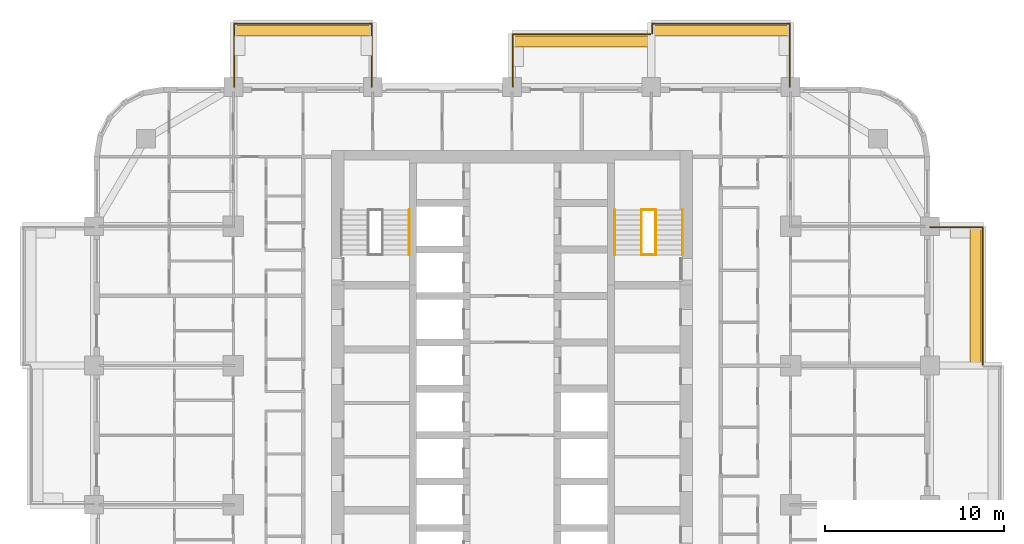
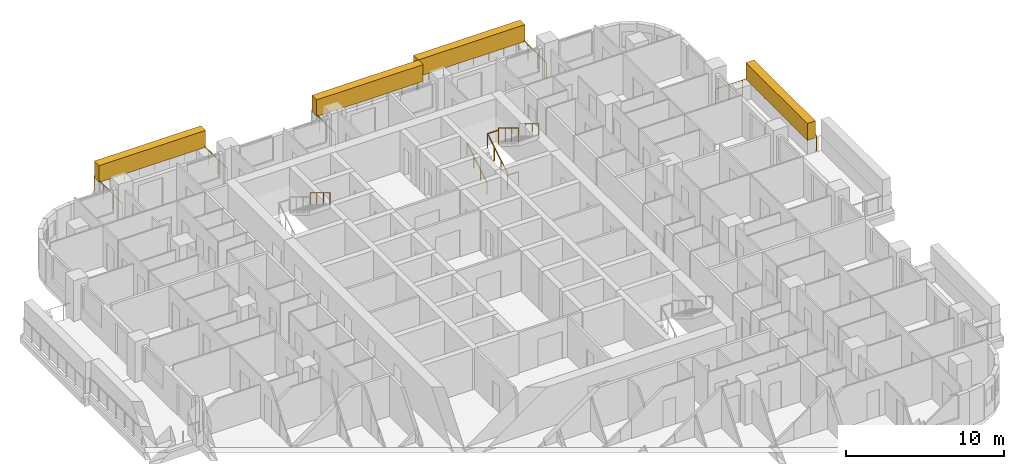
# One storey, part 18 of 18: 11 railings, 4 coverings, 2 elements without a shape of their own.
"""IFC4 building model written with IfcOpenShell, lengths in metres."""

from ifc_helpers import new_model, si_unit, direction, frame, origin, origin_2d, place, context, subcontext, project, spatial, rectangle, circle, extrude, material, layer, layer_set, type_object, element, aggregate, save


model = new_model("IFC4")

# Units and contexts
model_context = context("Model", 3, precision=1e-05, world=origin(), true_north=direction((0.0, 1.0)))
body_context = subcontext(model_context, "Body", "Model", "MODEL_VIEW")
ifc_project = project(units=[si_unit("LENGTHUNIT", "METRE"), si_unit("AREAUNIT", "SQUARE_METRE"), si_unit("VOLUMEUNIT", "CUBIC_METRE"), si_unit("PLANEANGLEUNIT", "RADIAN"), si_unit("MASSUNIT", "GRAM", prefix="KILO")], contexts=[model_context])

# Site, building, storey
site_placement = place(None, origin())
site = spatial("IfcSite", under=ifc_project, at=site_placement, CompositionType="ELEMENT")
building_placement = place(site_placement, origin())
building = spatial("IfcBuilding", under=site, at=building_placement, Name="Ludao Terraces", CompositionType="ELEMENT")
storey_placement = place(building_placement, frame((0.0, 0.0, 33.10009765625)))
storey = spatial("IfcBuildingStorey", under=building, at=storey_placement, Name="L08", CompositionType="ELEMENT", Elevation=33.10009765625)

# Railings
ifc_material_1 = material(Name="Stainless steel 304", Category="steel")
railing_type_1 = type_object("IfcRailingType", Name="ENV Balcony glass guard 1200", PredefinedType="GUARDRAIL", material=ifc_material_1)
railing_1_placement = place(storey_placement, frame((111.35009765625, 72.85009765625, 0.0)))
element("IfcRailing", 1, at=railing_1_placement, inside=storey, type_object=railing_type_1, Name="Balcony guard L08 E4", PredefinedType="GUARDRAIL", context=body_context, shape_type="SweptSolid", body=[
    extrude(circle(Radius=0.02392578125, at=origin_2d()), frame((0.0, 0.0, 1.17578125), z_axis=(0.0, 1.0, 0.0), x_axis=(-1.0, 0.0, 0.0)), (0.0, 0.0, 1.0), 7.699951171875),
    extrude(circle(Radius=0.02392578125, at=origin_2d()), frame((0.0, 7.699951171875, 1.17578125), z_axis=(-1.0, 0.0, 0.0), x_axis=(0.0, -1.0, 0.0)), (0.0, 0.0, 1.0), 2.9501953125),
    extrude(circle(Radius=0.02099609375, at=origin_2d()), origin(), (0.0, 0.0, 1.0), 1.15185546875),
    extrude(circle(Radius=0.02099609375, at=origin_2d()), frame((0.0, 1.10009765625, 0.0)), (0.0, 0.0, 1.0), 1.15185546875),
    extrude(circle(Radius=0.02099609375, at=origin_2d()), frame((0.0, 2.199951171875, 0.0)), (0.0, 0.0, 1.0), 1.15185546875),
    extrude(circle(Radius=0.02099609375, at=origin_2d()), frame((0.0, 3.300048828125, 0.0)), (0.0, 0.0, 1.0), 1.15185546875),
    extrude(circle(Radius=0.02099609375, at=origin_2d()), frame((0.0, 4.39990234375, 0.0)), (0.0, 0.0, 1.0), 1.15185546875),
    extrude(circle(Radius=0.02099609375, at=origin_2d()), frame((0.0, 5.5, 0.0)), (0.0, 0.0, 1.0), 1.15185546875),
    extrude(circle(Radius=0.02099609375, at=origin_2d()), frame((0.0, 6.599853515625, 0.0)), (0.0, 0.0, 1.0), 1.15185546875),
    extrude(circle(Radius=0.02099609375, at=origin_2d()), frame((0.0, 7.699951171875, 0.0)), (0.0, 0.0, 1.0), 1.15185546875),
    extrude(circle(Radius=0.02099609375, at=origin_2d()), frame((-0.9833984375, 7.699951171875, 0.0)), (0.0, 0.0, 1.0), 1.15185546875),
    extrude(circle(Radius=0.02099609375, at=origin_2d()), frame((-1.966796875, 7.699951171875, 0.0)), (0.0, 0.0, 1.0), 1.15185546875),
    extrude(circle(Radius=0.02099609375, at=origin_2d()), frame((-2.9501953125, 7.699951171875, 0.0)), (0.0, 0.0, 1.0), 1.15185546875),
])
railing_2_placement = place(storey_placement, frame((69.449951171875, 88.39990234375, 0.0)))
element("IfcRailing", 2, at=railing_2_placement, inside=storey, type_object=railing_type_1, Name="Balcony guard L08 N1", PredefinedType="GUARDRAIL", context=body_context, shape_type="SweptSolid", body=[
    extrude(circle(Radius=0.02392578125, at=origin_2d()), frame((0.0, 0.0, 1.17578125), z_axis=(0.0, 1.0, 0.0), x_axis=(-1.0, 0.0, 0.0)), (0.0, 0.0, 1.0), 3.550048828125),
    extrude(circle(Radius=0.02392578125, at=origin_2d()), frame((0.0, 3.550048828125, 1.17578125), z_axis=(1.0, 0.0, 0.0), x_axis=(0.0, 1.0, 0.0)), (0.0, 0.0, 1.0), 7.699951171875),
    extrude(circle(Radius=0.02392578125, at=origin_2d()), frame((7.699951171875, 3.550048828125, 1.17578125), z_axis=(0.0, -1.0, 0.0), x_axis=(1.0, 0.0, 0.0)), (0.0, 0.0, 1.0), 3.550048828125),
    extrude(circle(Radius=0.02099609375, at=origin_2d()), origin(), (0.0, 0.0, 1.0), 1.15185546875),
    extrude(circle(Radius=0.02099609375, at=origin_2d()), frame((0.0, 1.183349609375, 0.0)), (0.0, 0.0, 1.0), 1.15185546875),
    extrude(circle(Radius=0.02099609375, at=origin_2d()), frame((0.0, 2.36669921875, 0.0)), (0.0, 0.0, 1.0), 1.15185546875),
    extrude(circle(Radius=0.02099609375, at=origin_2d()), frame((0.0, 3.550048828125, 0.0)), (0.0, 0.0, 1.0), 1.15185546875),
    extrude(circle(Radius=0.02099609375, at=origin_2d()), frame((1.10009765625, 3.550048828125, 0.0)), (0.0, 0.0, 1.0), 1.15185546875),
    extrude(circle(Radius=0.02099609375, at=origin_2d()), frame((2.199951171875, 3.550048828125, 0.0)), (0.0, 0.0, 1.0), 1.15185546875),
    extrude(circle(Radius=0.02099609375, at=origin_2d()), frame((3.300048828125, 3.550048828125, 0.0)), (0.0, 0.0, 1.0), 1.15185546875),
    extrude(circle(Radius=0.02099609375, at=origin_2d()), frame((4.39990234375, 3.550048828125, 0.0)), (0.0, 0.0, 1.0), 1.15185546875),
    extrude(circle(Radius=0.02099609375, at=origin_2d()), frame((5.5, 3.550048828125, 0.0)), (0.0, 0.0, 1.0), 1.15185546875),
    extrude(circle(Radius=0.02099609375, at=origin_2d()), frame((6.599853515625, 3.550048828125, 0.0)), (0.0, 0.0, 1.0), 1.15185546875),
    extrude(circle(Radius=0.02099609375, at=origin_2d()), frame((7.699951171875, 3.550048828125, 0.0)), (0.0, 0.0, 1.0), 1.15185546875),
    extrude(circle(Radius=0.02099609375, at=origin_2d()), frame((7.699951171875, 2.36669921875, 0.0)), (0.0, 0.0, 1.0), 1.15185546875),
    extrude(circle(Radius=0.02099609375, at=origin_2d()), frame((7.699951171875, 1.183349609375, 0.0)), (0.0, 0.0, 1.0), 1.15185546875),
    extrude(circle(Radius=0.02099609375, at=origin_2d()), frame((7.699951171875, 0.0, 0.0)), (0.0, 0.0, 1.0), 1.15185546875),
])
railing_3_placement = place(storey_placement, frame((85.050048828125, 88.39990234375, 0.0)))
element("IfcRailing", 3, at=railing_3_placement, inside=storey, type_object=railing_type_1, Name="Balcony guard L08 N3", PredefinedType="GUARDRAIL", context=body_context, shape_type="SweptSolid", body=[
    extrude(circle(Radius=0.02392578125, at=origin_2d()), frame((0.0, 0.0, 1.17578125), z_axis=(0.0, 1.0, 0.0), x_axis=(-1.0, 0.0, 0.0)), (0.0, 0.0, 1.0), 2.9501953125),
    extrude(circle(Radius=0.02392578125, at=origin_2d()), frame((0.0, 2.9501953125, 1.17578125), z_axis=(1.0, 0.0, 0.0), x_axis=(0.0, 1.0, 0.0)), (0.0, 0.0, 1.0), 7.699951171875),
    extrude(circle(Radius=0.02099609375, at=origin_2d()), origin(), (0.0, 0.0, 1.0), 1.15185546875),
    extrude(circle(Radius=0.02099609375, at=origin_2d()), frame((0.0, 0.9833984375, 0.0)), (0.0, 0.0, 1.0), 1.15185546875),
    extrude(circle(Radius=0.02099609375, at=origin_2d()), frame((0.0, 1.966796875, 0.0)), (0.0, 0.0, 1.0), 1.15185546875),
    extrude(circle(Radius=0.02099609375, at=origin_2d()), frame((0.0, 2.9501953125, 0.0)), (0.0, 0.0, 1.0), 1.15185546875),
    extrude(circle(Radius=0.02099609375, at=origin_2d()), frame((1.10009765625, 2.9501953125, 0.0)), (0.0, 0.0, 1.0), 1.15185546875),
    extrude(circle(Radius=0.02099609375, at=origin_2d()), frame((2.199951171875, 2.9501953125, 0.0)), (0.0, 0.0, 1.0), 1.15185546875),
    extrude(circle(Radius=0.02099609375, at=origin_2d()), frame((3.300048828125, 2.9501953125, 0.0)), (0.0, 0.0, 1.0), 1.15185546875),
    extrude(circle(Radius=0.02099609375, at=origin_2d()), frame((4.39990234375, 2.9501953125, 0.0)), (0.0, 0.0, 1.0), 1.15185546875),
    extrude(circle(Radius=0.02099609375, at=origin_2d()), frame((5.5, 2.9501953125, 0.0)), (0.0, 0.0, 1.0), 1.15185546875),
    extrude(circle(Radius=0.02099609375, at=origin_2d()), frame((6.599853515625, 2.9501953125, 0.0)), (0.0, 0.0, 1.0), 1.15185546875),
    extrude(circle(Radius=0.02099609375, at=origin_2d()), frame((7.699951171875, 2.9501953125, 0.0)), (0.0, 0.0, 1.0), 1.15185546875),
])
railing_4_placement = place(storey_placement, frame((92.85009765625, 91.39990234375, 0.0)))
element("IfcRailing", 4, at=railing_4_placement, inside=storey, type_object=railing_type_1, Name="Balcony guard L08 N4", PredefinedType="GUARDRAIL", context=body_context, shape_type="SweptSolid", body=[
    extrude(circle(Radius=0.02392578125, at=origin_2d()), frame((0.0, 0.0, 1.17578125), z_axis=(0.0, 1.0, 0.0), x_axis=(-1.0, 0.0, 0.0)), (0.0, 0.0, 1.0), 0.550048828125),
    extrude(circle(Radius=0.02392578125, at=origin_2d()), frame((0.0, 0.550048828125, 1.17578125), z_axis=(1.0, 0.0, 0.0), x_axis=(0.0, 1.0, 0.0)), (0.0, 0.0, 1.0), 7.699951171875),
    extrude(circle(Radius=0.02392578125, at=origin_2d()), frame((7.699951171875, 0.550048828125, 1.17578125), z_axis=(0.0, -1.0, 0.0), x_axis=(1.0, 0.0, 0.0)), (0.0, 0.0, 1.0), 3.550048828125),
    extrude(circle(Radius=0.02099609375, at=origin_2d()), origin(), (0.0, 0.0, 1.0), 1.15185546875),
    extrude(circle(Radius=0.02099609375, at=origin_2d()), frame((0.0, 0.550048828125, 0.0)), (0.0, 0.0, 1.0), 1.15185546875),
    extrude(circle(Radius=0.02099609375, at=origin_2d()), frame((1.10009765625, 0.550048828125, 0.0)), (0.0, 0.0, 1.0), 1.15185546875),
    extrude(circle(Radius=0.02099609375, at=origin_2d()), frame((2.199951171875, 0.550048828125, 0.0)), (0.0, 0.0, 1.0), 1.15185546875),
    extrude(circle(Radius=0.02099609375, at=origin_2d()), frame((3.300048828125, 0.550048828125, 0.0)), (0.0, 0.0, 1.0), 1.15185546875),
    extrude(circle(Radius=0.02099609375, at=origin_2d()), frame((4.39990234375, 0.550048828125, 0.0)), (0.0, 0.0, 1.0), 1.15185546875),
    extrude(circle(Radius=0.02099609375, at=origin_2d()), frame((5.5, 0.550048828125, 0.0)), (0.0, 0.0, 1.0), 1.15185546875),
    extrude(circle(Radius=0.02099609375, at=origin_2d()), frame((6.599853515625, 0.550048828125, 0.0)), (0.0, 0.0, 1.0), 1.15185546875),
    extrude(circle(Radius=0.02099609375, at=origin_2d()), frame((7.699951171875, 0.550048828125, 0.0)), (0.0, 0.0, 1.0), 1.15185546875),
    extrude(circle(Radius=0.02099609375, at=origin_2d()), frame((7.699951171875, -0.63330078125, 0.0)), (0.0, 0.0, 1.0), 1.15185546875),
    extrude(circle(Radius=0.02099609375, at=origin_2d()), frame((7.699951171875, -1.816650390625, 0.0)), (0.0, 0.0, 1.0), 1.15185546875),
    extrude(circle(Radius=0.02099609375, at=origin_2d()), frame((7.699951171875, -3.0, 0.0)), (0.0, 0.0, 1.0), 1.15185546875),
])

# Coverings
ifc_material_2 = material(Name="Planting")
ifc_layer = layer(ifc_material_2, 0.60009765625)
ifc_layer_set = layer_set([ifc_layer], Name="ENV Planting hedge 600x1300")
covering_type = type_object("IfcCoveringType", Name="ENV Planting hedge 600x1300", PredefinedType="USERDEFINED", material=ifc_layer_set)
covering_placement = place(storey_placement, frame((110.949951171875, 76.699951171875, 1.10009765625), z_axis=(0.0, 0.0, 1.0), x_axis=(1.0, 0.0, 0.0)))
element("IfcCovering", 5, at=covering_placement, inside=storey, type_object=covering_type, Name="Planting hedge L08-E4", ObjectType="PLANTING", PredefinedType="USERDEFINED", context=body_context, shape_type="SweptSolid", body=[
    extrude(rectangle(XDim=0.60009765625, YDim=7.800048828125, at=origin_2d()), origin(), (0.0, 0.0, 1.0), 1.300048828125),
])
for number, where, z_axis, x_axis, name in (
    (6, (73.300048828125, 91.550048828125, 1.10009765625), (0.0, 0.0, 1.0), (1.0, 0.0, 0.0), "Planting hedge L08-N1"),
    (7, (88.89990234375, 90.949951171875, 1.10009765625), (0.0, 0.0, 1.0), (1.0, 0.0, 0.0), "Planting hedge L08-N3"),
    (8, (96.699951171875, 91.550048828125, 1.10009765625), (0.0, 0.0, 1.0), (1.0, 0.0, 0.0), "Planting hedge L08-N4"),
):
    element("IfcCovering", number, at=place(storey_placement, frame(where, z_axis=z_axis, x_axis=x_axis)), inside=storey, type_object=covering_type, Name=name, ObjectType="PLANTING", PredefinedType="USERDEFINED", context=body_context, shape_type="SweptSolid", body=[
        extrude(rectangle(XDim=7.800048828125, YDim=0.60009765625, at=origin_2d()), origin(), (0.0, 0.0, 1.0), 1.300048828125),
    ])

# Stair, railings
ifc_material_3 = material(Name="Concrete C40", Category="concrete")
stair_type = type_object("IfcStairType", Name="INT Stair", PredefinedType="HALF_TURN_STAIR", material=ifc_material_3)
stair_1_placement = place(storey_placement, origin())
stair_1 = element("IfcStair", 9, at=stair_1_placement, inside=storey, type_object=stair_type, Name="EXIT STAIR 2", PredefinedType="HALF_TURN_STAIR")
railing_type_2 = type_object("IfcRailingType", Name="INT Stair guard 1100", PredefinedType="GUARDRAIL", material=ifc_material_1)
railing_5_placement = place(storey_placement, frame((92.25, 79.0, 0.169921875)))
railing_5 = element("IfcRailing", 10, at=railing_5_placement, type_object=railing_type_2, Name="ST-L08-S2-R1G", PredefinedType="GUARDRAIL", context=body_context, shape_type="SweptSolid", body=[
    extrude(circle(Radius=0.02392578125, at=origin_2d()), frame((0.0, 0.0, 1.076171875), z_axis=(0.0, 0.85478489116, 0.518982456201), x_axis=(-1.0, 0.0, 0.0)), (0.0, 0.0, 1.0), 2.9482421875),
    extrude(circle(Radius=0.02099609375, at=origin_2d()), origin(), (0.0, 0.0, 1.0), 1.052001953125),
    extrude(circle(Radius=0.02099609375, at=origin_2d()), frame((0.0, 0.840087890625, 0.510009765625)), (0.0, 0.0, 1.0), 1.052001953125),
    extrude(circle(Radius=0.02099609375, at=origin_2d()), frame((0.0, 1.679931640625, 1.02001953125)), (0.0, 0.0, 1.0), 1.052001953125),
    extrude(circle(Radius=0.02099609375, at=origin_2d()), frame((0.0, 2.52001953125, 1.530029296875)), (0.0, 0.0, 1.0), 1.052001953125),
])
railing_6_placement = place(storey_placement, frame((93.050048828125, 81.52001953125, 1.869873046875)))
railing_6 = element("IfcRailing", 11, at=railing_6_placement, type_object=railing_type_2, Name="ST-L08-S2-R2G", PredefinedType="GUARDRAIL", context=body_context, shape_type="SweptSolid", body=[
    extrude(circle(Radius=0.02392578125, at=origin_2d()), frame((0.0, 0.0, 1.076171875), z_axis=(0.0, -0.85478489116, 0.518982456201), x_axis=(1.0, 0.0, 0.0)), (0.0, 0.0, 1.0), 2.9482421875),
    extrude(circle(Radius=0.02099609375, at=origin_2d()), origin(), (0.0, 0.0, 1.0), 1.052001953125),
    extrude(circle(Radius=0.02099609375, at=origin_2d()), frame((0.0, -0.840087890625, 0.510009765625)), (0.0, 0.0, 1.0), 1.052001953125),
    extrude(circle(Radius=0.02099609375, at=origin_2d()), frame((0.0, -1.679931640625, 1.02001953125)), (0.0, 0.0, 1.0), 1.052001953125),
    extrude(circle(Radius=0.02099609375, at=origin_2d()), frame((0.0, -2.52001953125, 1.530029296875)), (0.0, 0.0, 1.0), 1.052001953125),
])
railing_7_placement = place(storey_placement, frame((92.25, 81.52001953125, 1.699951171875)))
railing_7 = element("IfcRailing", 12, at=railing_7_placement, type_object=railing_type_2, Name="ST-L08-S2-E1G", PredefinedType="GUARDRAIL", context=body_context, shape_type="SweptSolid", body=[
    extrude(circle(Radius=0.02392578125, at=origin_2d()), frame((0.0, 0.0, 1.076171875), z_axis=(1.0, 0.0, 0.0), x_axis=(0.0, 1.0, 0.0)), (0.0, 0.0, 1.0), 0.800048828125),
    extrude(circle(Radius=0.02099609375, at=origin_2d()), origin(), (0.0, 0.0, 1.0), 1.052001953125),
    extrude(circle(Radius=0.02099609375, at=origin_2d()), frame((0.800048828125, 0.0, 0.0)), (0.0, 0.0, 1.0), 1.052001953125),
])
railing_8_placement = place(storey_placement, frame((92.25, 79.0, 0.0)))
railing_8 = element("IfcRailing", 13, at=railing_8_placement, type_object=railing_type_2, Name="ST-L08-S2-E2G", PredefinedType="GUARDRAIL", context=body_context, shape_type="SweptSolid", body=[
    extrude(circle(Radius=0.02392578125, at=origin_2d()), frame((0.0, 0.0, 1.076171875), z_axis=(1.0, 0.0, 0.0), x_axis=(0.0, 1.0, 0.0)), (0.0, 0.0, 1.0), 0.800048828125),
    extrude(circle(Radius=0.02099609375, at=origin_2d()), origin(), (0.0, 0.0, 1.0), 1.052001953125),
    extrude(circle(Radius=0.02099609375, at=origin_2d()), frame((0.800048828125, 0.0, 0.0)), (0.0, 0.0, 1.0), 1.052001953125),
])

# Stair, railing
stair_2_placement = place(storey_placement, origin())
stair_2 = element("IfcStair", 14, at=stair_2_placement, inside=storey, type_object=stair_type, Name="EXIT STAIR 1", PredefinedType="HALF_TURN_STAIR")
railing_type_3 = type_object("IfcRailingType", Name="INT Stair handrail 900", PredefinedType="HANDRAIL", material=ifc_material_1)
railing_9_placement = place(storey_placement, frame((79.25, 81.52001953125, 1.869873046875)))
railing_9 = element("IfcRailing", 15, at=railing_9_placement, type_object=railing_type_3, Name="ST-L08-S1-R2H", PredefinedType="HANDRAIL", context=body_context, shape_type="SweptSolid", body=[
    extrude(circle(Radius=0.02392578125, at=origin_2d()), frame((0.0, 0.0, 0.8759765625), z_axis=(0.0, -0.85478489116, 0.518982456201), x_axis=(1.0, 0.0, 0.0)), (0.0, 0.0, 1.0), 2.9482421875),
    extrude(circle(Radius=0.02099609375, at=origin_2d()), origin(), (0.0, 0.0, 1.0), 0.851806640625),
    extrude(circle(Radius=0.02099609375, at=origin_2d()), frame((0.0, -0.840087890625, 0.510009765625)), (0.0, 0.0, 1.0), 0.851806640625),
    extrude(circle(Radius=0.02099609375, at=origin_2d()), frame((0.0, -1.679931640625, 1.02001953125)), (0.0, 0.0, 1.0), 0.851806640625),
    extrude(circle(Radius=0.02099609375, at=origin_2d()), frame((0.0, -2.52001953125, 1.530029296875)), (0.0, 0.0, 1.0), 0.851806640625),
])
aggregate(stair_2, [railing_9])

# Railing
railing_10_placement = place(storey_placement, frame((90.75, 79.0, 0.169921875)))
railing_10 = element("IfcRailing", 16, at=railing_10_placement, type_object=railing_type_3, Name="ST-L08-S2-R1H", PredefinedType="HANDRAIL", context=body_context, shape_type="SweptSolid", body=[
    extrude(circle(Radius=0.02392578125, at=origin_2d()), frame((0.0, 0.0, 0.8759765625), z_axis=(0.0, 0.85478489116, 0.518982456201), x_axis=(-1.0, 0.0, 0.0)), (0.0, 0.0, 1.0), 2.9482421875),
    extrude(circle(Radius=0.02099609375, at=origin_2d()), origin(), (0.0, 0.0, 1.0), 0.851806640625),
    extrude(circle(Radius=0.02099609375, at=origin_2d()), frame((0.0, 0.840087890625, 0.510009765625)), (0.0, 0.0, 1.0), 0.851806640625),
    extrude(circle(Radius=0.02099609375, at=origin_2d()), frame((0.0, 1.679931640625, 1.02001953125)), (0.0, 0.0, 1.0), 0.851806640625),
    extrude(circle(Radius=0.02099609375, at=origin_2d()), frame((0.0, 2.52001953125, 1.530029296875)), (0.0, 0.0, 1.0), 0.851806640625),
])

railing_11_placement = place(storey_placement, frame((94.550048828125, 81.52001953125, 1.869873046875)))
railing_11 = element("IfcRailing", 17, at=railing_11_placement, type_object=railing_type_3, Name="ST-L08-S2-R2H", PredefinedType="HANDRAIL", context=body_context, shape_type="SweptSolid", body=[
    extrude(circle(Radius=0.02392578125, at=origin_2d()), frame((0.0, 0.0, 0.8759765625), z_axis=(0.0, -0.85478489116, 0.518982456201), x_axis=(1.0, 0.0, 0.0)), (0.0, 0.0, 1.0), 2.9482421875),
    extrude(circle(Radius=0.02099609375, at=origin_2d()), origin(), (0.0, 0.0, 1.0), 0.851806640625),
    extrude(circle(Radius=0.02099609375, at=origin_2d()), frame((0.0, -0.840087890625, 0.510009765625)), (0.0, 0.0, 1.0), 0.851806640625),
    extrude(circle(Radius=0.02099609375, at=origin_2d()), frame((0.0, -1.679931640625, 1.02001953125)), (0.0, 0.0, 1.0), 0.851806640625),
    extrude(circle(Radius=0.02099609375, at=origin_2d()), frame((0.0, -2.52001953125, 1.530029296875)), (0.0, 0.0, 1.0), 0.851806640625),
])

aggregate(stair_1, [railing_5, railing_10, railing_6, railing_11, railing_7, railing_8])

save(model, "model.ifc")
